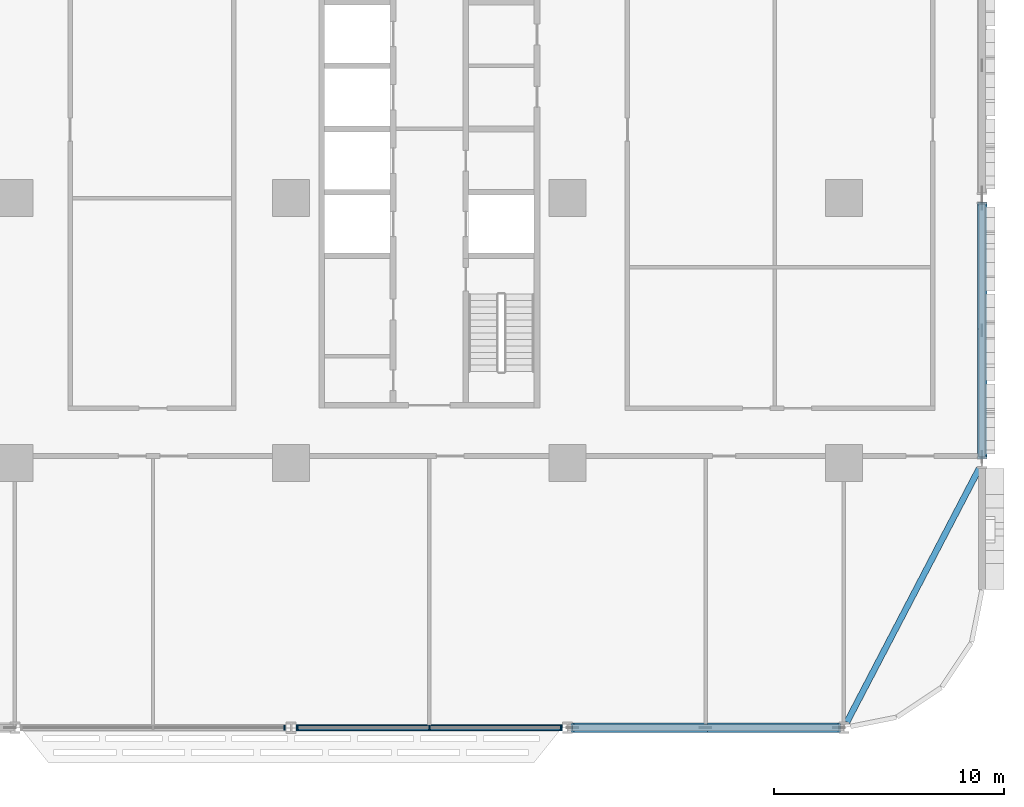
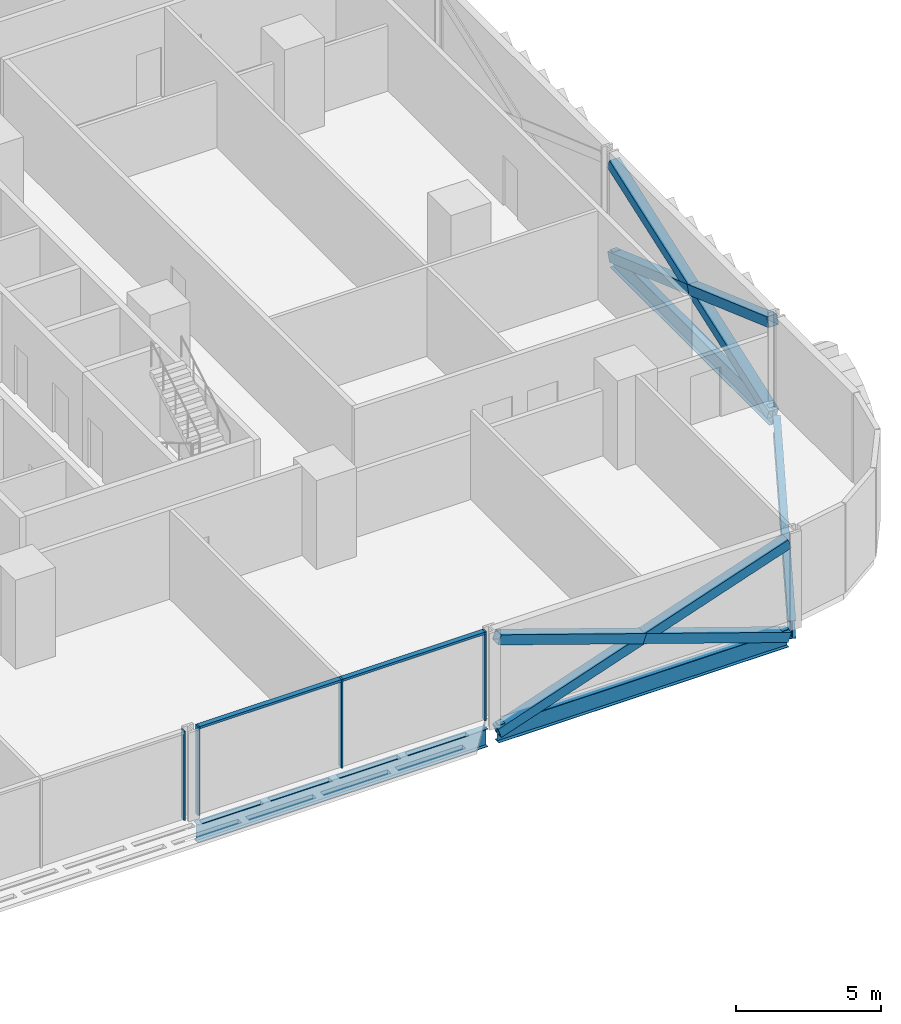
# One storey, part 7 of 29: 12 members, 4 beams, 2 elements without a shape of their own.
"""IFC4 building model written with IfcOpenShell, lengths in metres."""

from ifc_helpers import new_model, si_unit, direction, frame, origin, origin_2d, place, context, subcontext, project, spatial, rectangle, hollow_rectangle, i_section, extrude, material, material_profile, profile_set, type_object, element, aggregate, save


model = new_model("IFC4")

# Units and contexts
model_context = context("Model", 3, precision=1e-05, world=origin(), true_north=direction((0.0, 1.0)))
body_context = subcontext(model_context, "Body", "Model", "MODEL_VIEW")
ifc_project = project(units=[si_unit("LENGTHUNIT", "METRE"), si_unit("AREAUNIT", "SQUARE_METRE"), si_unit("VOLUMEUNIT", "CUBIC_METRE"), si_unit("PLANEANGLEUNIT", "RADIAN"), si_unit("MASSUNIT", "GRAM", prefix="KILO")], contexts=[model_context])

# Site, building, storey
site_placement = place(None, origin())
site = spatial("IfcSite", under=ifc_project, at=site_placement, CompositionType="ELEMENT")
building_placement = place(site_placement, origin())
building = spatial("IfcBuilding", under=site, at=building_placement, Name="Mahtab Terrace Research Tower", CompositionType="ELEMENT")
storey_placement = place(building_placement, frame((0.0, 0.0, 37.300048828125)))
storey = spatial("IfcBuildingStorey", under=building, at=storey_placement, Name="L08", CompositionType="ELEMENT", Elevation=37.300048828125)

# Members
ifc_material_1 = material(Name="Steel ASTM A500 Gr C", Category="steel")
ifc_material_profile_1 = material_profile(ifc_material_1, hollow_rectangle(XDim=0.406494140625, YDim=0.406494140625, WallThickness=0.01904296875, at=origin_2d()), Name="HSS16X16X3/4")
ifc_profile_set_1 = profile_set([ifc_material_profile_1], Name="Steel ASTM A500 Gr C")
member_type_1 = type_object("IfcMemberType", Name="HSS 16x16x3/4 brace XB161634", PredefinedType="BRACE", material=ifc_profile_set_1)
member_1_placement = place(storey_placement, frame((30.2158203125, -23.0, -0.64501953125), z_axis=(0.946532370982, 0.0, 0.322608850907), x_axis=(0.0, 1.0, 0.0)))
element("IfcMember", 1, at=member_1_placement, inside=storey, type_object=member_type_1, Name="Exoskeleton brace L08 18 a", PredefinedType="BRACE", context=body_context, shape_type="SweptSolid", body=[
    extrude(hollow_rectangle(XDim=0.406494140625, YDim=0.406494140625, WallThickness=0.01904296875, at=origin_2d()), origin(), (0.0, 0.0, 1.0), 12.221923828125),
])
for number, where, z_axis, x_axis, name in (
    (2, (41.7841796875, -23.0, -0.64501953125), (-0.946532370982, 0.0, 0.322608850907), (0.0, -1.0, 0.0), "Exoskeleton brace L08 18 b1"),
    (3, (36.0, -23.0, 1.326416015625), (-0.946532370982, 0.0, 0.322608850907), (0.0, -1.0, 0.0), "Exoskeleton brace L08 18 b2"),
):
    element("IfcMember", number, at=place(storey_placement, frame(where, z_axis=z_axis, x_axis=x_axis)), inside=storey, type_object=member_type_1, Name=name, PredefinedType="BRACE", context=body_context, shape_type="SweptSolid", body=[
        extrude(hollow_rectangle(XDim=0.406494140625, YDim=0.406494140625, WallThickness=0.01904296875, at=origin_2d()), origin(), (0.0, 0.0, 1.0), 6.11083984375),
    ])
member_2_placement = place(storey_placement, frame((48.0, -11.251220703125, -0.6298828125), z_axis=(0.0, 0.9421913705, 0.335075247304), x_axis=(-1.0, 0.0, 0.0)))
element("IfcMember", 4, at=member_2_placement, inside=storey, type_object=member_type_1, Name="Exoskeleton brace L08 20 a", PredefinedType="BRACE", context=body_context, shape_type="SweptSolid", body=[
    extrude(hollow_rectangle(XDim=0.406494140625, YDim=0.406494140625, WallThickness=0.01904296875, at=origin_2d()), origin(), (0.0, 0.0, 1.0), 11.677490234375),
])
member_3_placement = place(storey_placement, frame((48.0, -0.248779296875, -0.6298828125), z_axis=(0.0, -0.942197970783, 0.33505668752), x_axis=(1.0, 0.0, 0.0)))
element("IfcMember", 5, at=member_3_placement, inside=storey, type_object=member_type_1, Name="Exoskeleton brace L08 20 b1", PredefinedType="BRACE", context=body_context, shape_type="SweptSolid", body=[
    extrude(hollow_rectangle(XDim=0.406494140625, YDim=0.406494140625, WallThickness=0.01904296875, at=origin_2d()), origin(), (0.0, 0.0, 1.0), 5.838623046875),
])
member_4_placement = place(storey_placement, frame((48.0, -5.75, 1.326416015625), z_axis=(0.0, -0.942184769943, 0.335093806698), x_axis=(1.0, 0.0, 0.0)))
element("IfcMember", 6, at=member_4_placement, inside=storey, type_object=member_type_1, Name="Exoskeleton brace L08 20 b2", PredefinedType="BRACE", context=body_context, shape_type="SweptSolid", body=[
    extrude(hollow_rectangle(XDim=0.406494140625, YDim=0.406494140625, WallThickness=0.01904296875, at=origin_2d()), origin(), (0.0, 0.0, 1.0), 5.8388671875),
])

# Curtain wall, member
ifc_material_2 = material(Name="Laboratory ribbon curtain wall")
curtain_wall_type = type_object("IfcCurtainWallType", Name="Laboratory ribbon curtain wall", PredefinedType="NOTDEFINED", material=ifc_material_2)
curtain_wall_1_placement = place(storey_placement, origin())
curtain_wall_1 = element("IfcCurtainWall", 7, at=curtain_wall_1_placement, inside=storey, type_object=curtain_wall_type, Name="EN.L08.13.26", PredefinedType="NOTDEFINED")
ifc_material_3 = material(Name="Natural anodised aluminium", Category="aluminium")
ifc_material_profile_2 = material_profile(ifc_material_3, rectangle(XDim=0.199951171875, YDim=0.06494140625, at=origin_2d()), Name="MULLION 65x200")
ifc_profile_set_2 = profile_set([ifc_material_profile_2], Name="Natural anodised aluminium")
member_type_2 = type_object("IfcMemberType", Name="Laboratory ribbon curtain wall mullion", PredefinedType="MULLION", material=ifc_profile_set_2)
member_5_placement = place(storey_placement, frame((17.718505859375, -23.0, 0.0), z_axis=(0.0, 0.0, 1.0), x_axis=(0.0, 1.0, 0.0)))
member_5 = element("IfcMember", 8, at=member_5_placement, type_object=member_type_2, Name="CWL-1 mullion 3", PredefinedType="MULLION", context=body_context, shape_type="SweptSolid", body=[
    extrude(rectangle(XDim=0.199951171875, YDim=0.06494140625, at=origin_2d()), origin(), (0.0, 0.0, 1.0), 3.75),
])
aggregate(curtain_wall_1, [member_5])

# Curtain wall, members
curtain_wall_2_placement = place(storey_placement, origin())
curtain_wall_2 = element("IfcCurtainWall", 9, at=curtain_wall_2_placement, inside=storey, type_object=curtain_wall_type, Name="EN.L08.13.27", PredefinedType="NOTDEFINED")
member_6_placement = place(storey_placement, frame((18.281494140625, -23.0, 0.0), z_axis=(0.0, 0.0, 1.0), x_axis=(0.0, 1.0, 0.0)))
member_6 = element("IfcMember", 10, at=member_6_placement, type_object=member_type_2, Name="CWL-1 mullion 1", PredefinedType="MULLION", context=body_context, shape_type="SweptSolid", body=[
    extrude(rectangle(XDim=0.199951171875, YDim=0.06494140625, at=origin_2d()), origin(), (0.0, 0.0, 1.0), 3.75),
])
member_7_placement = place(storey_placement, frame((24.0, -23.0, 0.0), z_axis=(0.0, 0.0, 1.0), x_axis=(0.0, 1.0, 0.0)))
member_7 = element("IfcMember", 11, at=member_7_placement, type_object=member_type_2, Name="CWL-1 mullion 2", PredefinedType="MULLION", context=body_context, shape_type="SweptSolid", body=[
    extrude(rectangle(XDim=0.199951171875, YDim=0.06494140625, at=origin_2d()), origin(), (0.0, 0.0, 1.0), 3.75),
])
member_8_placement = place(storey_placement, frame((29.718505859375, -23.0, 0.0), z_axis=(0.0, 0.0, 1.0), x_axis=(0.0, 1.0, 0.0)))
member_8 = element("IfcMember", 12, at=member_8_placement, type_object=member_type_2, Name="CWL-1 mullion 3", PredefinedType="MULLION", context=body_context, shape_type="SweptSolid", body=[
    extrude(rectangle(XDim=0.199951171875, YDim=0.06494140625, at=origin_2d()), origin(), (0.0, 0.0, 1.0), 3.75),
])
ifc_material_profile_3 = material_profile(ifc_material_3, rectangle(XDim=0.199951171875, YDim=0.10009765625, at=origin_2d()), Name="TRANSOM 100x200")
ifc_profile_set_3 = profile_set([ifc_material_profile_3], Name="Natural anodised aluminium")
member_type_3 = type_object("IfcMemberType", Name="Laboratory ribbon curtain wall transom", PredefinedType="USERDEFINED", material=ifc_profile_set_3)
member_9_placement = place(storey_placement, frame((18.31396484375, -23.0, 3.699951171875), z_axis=(1.0, 0.0, 0.0), x_axis=(0.0, 1.0, 0.0)))
member_9 = element("IfcMember", 13, at=member_9_placement, type_object=member_type_3, Name="CWL-1 transom 1", ObjectType="TRANSOM", PredefinedType="USERDEFINED", context=body_context, shape_type="SweptSolid", body=[
    extrude(rectangle(XDim=0.199951171875, YDim=0.10009765625, at=origin_2d()), origin(), (0.0, 0.0, 1.0), 5.653564453125),
])
member_10_placement = place(storey_placement, frame((24.032470703125, -23.0, 3.699951171875), z_axis=(1.0, 0.0, 0.0), x_axis=(0.0, 1.0, 0.0)))
member_10 = element("IfcMember", 14, at=member_10_placement, type_object=member_type_3, Name="CWL-1 transom 2", ObjectType="TRANSOM", PredefinedType="USERDEFINED", context=body_context, shape_type="SweptSolid", body=[
    extrude(rectangle(XDim=0.199951171875, YDim=0.10009765625, at=origin_2d()), origin(), (0.0, 0.0, 1.0), 5.653564453125),
])
aggregate(curtain_wall_2, [member_6, member_7, member_8, member_9, member_10])

# Beams
ifc_material_4 = material(Name="Steel ASTM A992 Gr 50", Category="steel")
ifc_material_profile_4 = material_profile(ifc_material_4, i_section(OverallWidth=0.2666015625, OverallDepth=0.7568359375, WebThickness=0.013916015625, FlangeThickness=0.019287109375, at=origin_2d()), Name="W30X108")
ifc_profile_set_4 = profile_set([ifc_material_profile_4], Name="Steel ASTM A992 Gr 50")
beam_type = type_object("IfcBeamType", Name="W30x108 beam BS30108", PredefinedType="BEAM", material=ifc_profile_set_4)
for number, where, z_axis, x_axis, name in (
    (15, (18.2158203125, -23.0, -0.718505859375), (1.0, 0.0, 0.0), (0.0, 1.0, 0.0), "Spandrel beam L08 17"),
    (16, (30.2158203125, -23.0, -0.718505859375), (1.0, 0.0, 0.0), (0.0, 1.0, 0.0), "Spandrel beam L08 18"),
):
    element("IfcBeam", number, at=place(storey_placement, frame(where, z_axis=z_axis, x_axis=x_axis)), inside=storey, type_object=beam_type, Name=name, PredefinedType="BEAM", context=body_context, shape_type="SweptSolid", body=[
        extrude(i_section(OverallWidth=0.2666015625, OverallDepth=0.7568359375, WebThickness=0.013916015625, FlangeThickness=0.019287109375, at=origin_2d()), origin(), (0.0, 0.0, 1.0), 11.568359375),
    ])
beam_1_placement = place(storey_placement, frame((42.1298828125, -22.751220703125, -0.718505859375), z_axis=(0.462555249274, 0.88659045865, 0.0), x_axis=(-0.88659045865, 0.462555249274, 0.0)))
element("IfcBeam", 17, at=beam_1_placement, inside=storey, type_object=beam_type, Name="Spandrel beam L08 19", PredefinedType="BEAM", context=body_context, shape_type="SweptSolid", body=[
    extrude(i_section(OverallWidth=0.2666015625, OverallDepth=0.7568359375, WebThickness=0.013916015625, FlangeThickness=0.019287109375, at=origin_2d()), origin(), (0.0, 0.0, 1.0), 12.409912109375),
])
beam_2_placement = place(storey_placement, frame((48.0, -11.251220703125, -0.718505859375), z_axis=(0.0, 1.0, 0.0), x_axis=(-1.0, 0.0, 0.0)))
element("IfcBeam", 18, at=beam_2_placement, inside=storey, type_object=beam_type, Name="Spandrel beam L08 20", PredefinedType="BEAM", context=body_context, shape_type="SweptSolid", body=[
    extrude(i_section(OverallWidth=0.2666015625, OverallDepth=0.7568359375, WebThickness=0.013916015625, FlangeThickness=0.019287109375, at=origin_2d()), origin(), (0.0, 0.0, 1.0), 11.00244140625),
])

save(model, "model.ifc")
